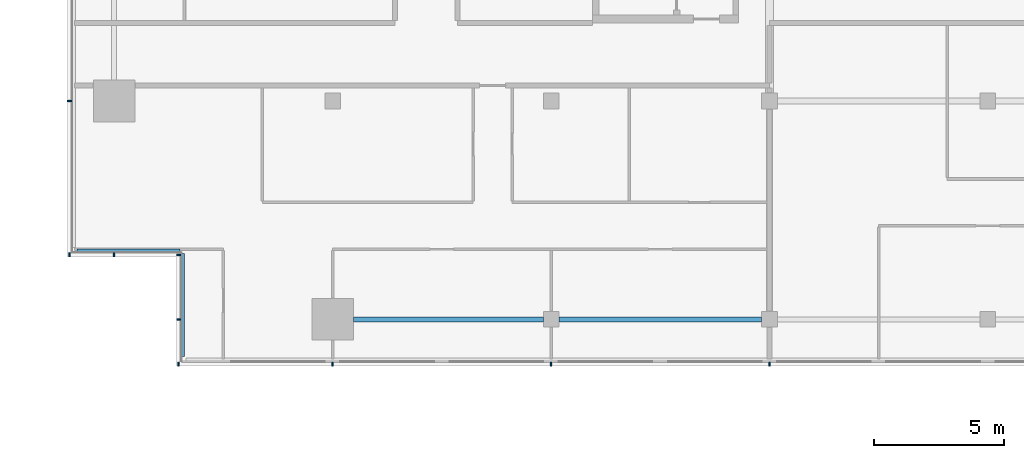
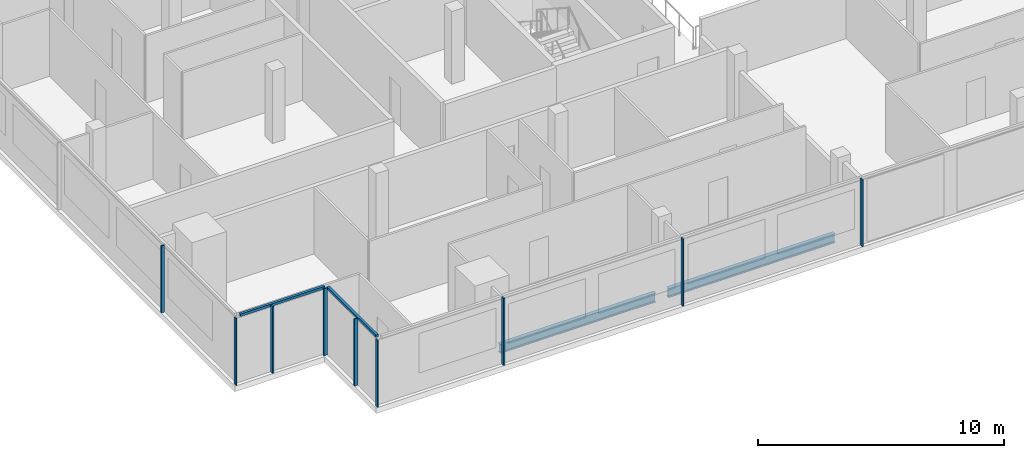
# One storey, part 2 of 30: 11 members, 2 beams, 4 elements without a shape of their own.
"""IFC4 building model written with IfcOpenShell, lengths in metres."""

from ifc_helpers import new_model, si_unit, direction, frame, origin, origin_2d, place, context, subcontext, project, spatial, rectangle, i_section, extrude, material, material_profile, profile_set, type_object, element, aggregate, save


model = new_model("IFC4")

# Units and contexts
model_context = context("Model", 3, precision=1e-05, world=origin(), true_north=direction((0.0, 1.0)))
body_context = subcontext(model_context, "Body", "Model", "MODEL_VIEW")
ifc_project = project(units=[si_unit("LENGTHUNIT", "METRE"), si_unit("AREAUNIT", "SQUARE_METRE"), si_unit("VOLUMEUNIT", "CUBIC_METRE"), si_unit("PLANEANGLEUNIT", "RADIAN"), si_unit("MASSUNIT", "GRAM", prefix="KILO")], contexts=[model_context])

# Site, building, storey
site_placement = place(None, origin())
site = spatial("IfcSite", under=ifc_project, at=site_placement, CompositionType="ELEMENT")
building_placement = place(site_placement, origin())
building = spatial("IfcBuilding", under=site, at=building_placement, Name="Saffron Gate Tower", CompositionType="ELEMENT")
storey_placement = place(building_placement, frame((0.0, 0.0, 237.89990234375)))
storey = spatial("IfcBuildingStorey", under=building, at=storey_placement, Name="L58", CompositionType="ELEMENT", Elevation=237.89990234375)

# Beams
ifc_material_1 = material(Name="Structural steel S355", Category="steel")
ifc_material_profile_1 = material_profile(ifc_material_1, i_section(OverallWidth=0.18994140625, OverallDepth=0.449951171875, WebThickness=0.009521484375, FlangeThickness=0.0146484375, FilletRadius=0.02099609375, at=origin_2d()))
ifc_profile_set_1 = profile_set([ifc_material_profile_1], Name="Structural steel S355")
beam_type = type_object("IfcBeamType", Name="B7 IPE 450", PredefinedType="SPANDREL", material=ifc_profile_set_1)
beam_1_placement = place(storey_placement, frame((59.0, 31.800048828125, -0.5048828125), z_axis=(1.0, 0.0, 0.0), x_axis=(0.0, 1.0, 0.0)))
element("IfcBeam", 1, at=beam_1_placement, inside=storey, type_object=beam_type, Name="B7 SPANDREL BEAM", PredefinedType="SPANDREL", context=body_context, shape_type="SweptSolid", body=[
    extrude(i_section(OverallWidth=0.18994140625, OverallDepth=0.449951171875, WebThickness=0.009521484375, FlangeThickness=0.0146484375, FilletRadius=0.02099609375, at=origin_2d()), origin(), (0.0, 0.0, 1.0), 7.300048828125),
])
beam_2_placement = place(storey_placement, frame((66.89990234375, 31.800048828125, -0.5048828125), z_axis=(1.0, 0.0, 0.0), x_axis=(0.0, 1.0, 0.0)))
element("IfcBeam", 2, at=beam_2_placement, inside=storey, type_object=beam_type, Name="B7 SPANDREL BEAM", PredefinedType="SPANDREL", context=body_context, shape_type="SweptSolid", body=[
    extrude(i_section(OverallWidth=0.18994140625, OverallDepth=0.449951171875, WebThickness=0.009521484375, FlangeThickness=0.0146484375, FilletRadius=0.02099609375, at=origin_2d()), origin(), (0.0, 0.0, 1.0), 7.800048828125),
])

# Curtain wall, members
ifc_material_2 = material(Name="Aluminium, bronze anodised", Category="aluminium")
curtain_wall_type_1 = type_object("IfcCurtainWallType", Name="CWS1 curtain wall front facade", PredefinedType="NOTDEFINED", material=ifc_material_2)
curtain_wall_1_placement = place(storey_placement, origin())
curtain_wall_1 = element("IfcCurtainWall", 3, at=curtain_wall_1_placement, inside=storey, type_object=curtain_wall_type_1, Name="CWS1 run 1", PredefinedType="NOTDEFINED")
ifc_material_profile_2 = material_profile(ifc_material_2, rectangle(XDim=0.159912109375, YDim=0.06005859375, at=origin_2d()))
ifc_profile_set_2 = profile_set([ifc_material_profile_2], Name="Aluminium, bronze anodised")
member_type_1 = type_object("IfcMemberType", Name="CWS1 mullion 60x160", PredefinedType="MULLION", material=ifc_profile_set_2)
member_1_placement = place(storey_placement, frame((52.280029296875, 30.080078125, 0.0), z_axis=(0.0, 0.0, 1.0), x_axis=(0.0, 1.0, 0.0)))
member_1 = element("IfcMember", 4, at=member_1_placement, type_object=member_type_1, Name="CWS1 mullion 1", PredefinedType="MULLION", context=body_context, shape_type="SweptSolid", body=[
    extrude(rectangle(XDim=0.159912109375, YDim=0.06005859375, at=origin_2d()), origin(), (0.0, 0.0, 1.0), 3.320068359375),
])
member_2_placement = place(storey_placement, frame((58.199951171875, 30.080078125, 0.0), z_axis=(0.0, 0.0, 1.0), x_axis=(0.0, 1.0, 0.0)))
member_2 = element("IfcMember", 5, at=member_2_placement, type_object=member_type_1, Name="CWS1 mullion 2", PredefinedType="MULLION", context=body_context, shape_type="SweptSolid", body=[
    extrude(rectangle(XDim=0.159912109375, YDim=0.06005859375, at=origin_2d()), origin(), (0.0, 0.0, 1.0), 3.320068359375),
])
member_3_placement = place(storey_placement, frame((66.60009765625, 30.080078125, 0.0), z_axis=(0.0, 0.0, 1.0), x_axis=(0.0, 1.0, 0.0)))
member_3 = element("IfcMember", 6, at=member_3_placement, type_object=member_type_1, Name="CWS1 mullion 3", PredefinedType="MULLION", context=body_context, shape_type="SweptSolid", body=[
    extrude(rectangle(XDim=0.159912109375, YDim=0.06005859375, at=origin_2d()), origin(), (0.0, 0.0, 1.0), 3.320068359375),
])
member_4_placement = place(storey_placement, frame((75.0, 30.080078125, 0.0), z_axis=(0.0, 0.0, 1.0), x_axis=(0.0, 1.0, 0.0)))
member_4 = element("IfcMember", 7, at=member_4_placement, type_object=member_type_1, Name="CWS1 mullion 4", PredefinedType="MULLION", context=body_context, shape_type="SweptSolid", body=[
    extrude(rectangle(XDim=0.159912109375, YDim=0.06005859375, at=origin_2d()), origin(), (0.0, 0.0, 1.0), 3.320068359375),
])
aggregate(curtain_wall_1, [member_1, member_2, member_3, member_4])

# Curtain wall, member
curtain_wall_type_2 = type_object("IfcCurtainWallType", Name="CWS2 curtain wall side facades", PredefinedType="NOTDEFINED", material=ifc_material_2)
curtain_wall_2_placement = place(storey_placement, origin())
curtain_wall_2 = element("IfcCurtainWall", 8, at=curtain_wall_2_placement, inside=storey, type_object=curtain_wall_type_2, Name="CWS2 run 10", PredefinedType="NOTDEFINED")
ifc_material_profile_3 = material_profile(ifc_material_2, rectangle(XDim=0.159912109375, YDim=0.06005859375, at=origin_2d()))
ifc_profile_set_3 = profile_set([ifc_material_profile_3], Name="Aluminium, bronze anodised")
member_type_2 = type_object("IfcMemberType", Name="CWS2 mullion 60x160", PredefinedType="MULLION", material=ifc_profile_set_3)
member_5_placement = place(storey_placement, frame((48.080078125, 40.199951171875, 0.0), z_axis=(0.0, 0.0, 1.0), x_axis=(1.0, 0.0, 0.0)))
member_5 = element("IfcMember", 9, at=member_5_placement, type_object=member_type_2, Name="CWS2 mullion 5", PredefinedType="MULLION", context=body_context, shape_type="SweptSolid", body=[
    extrude(rectangle(XDim=0.159912109375, YDim=0.06005859375, at=origin_2d()), origin(), (0.0, 0.0, 1.0), 3.320068359375),
])
aggregate(curtain_wall_2, [member_5])

curtain_wall_type_3 = type_object("IfcCurtainWallType", Name="CWS4 curtain wall corner returns", PredefinedType="NOTDEFINED", material=ifc_material_2)
curtain_wall_3_placement = place(storey_placement, origin())
curtain_wall_3 = element("IfcCurtainWall", 10, at=curtain_wall_3_placement, inside=storey, type_object=curtain_wall_type_3, Name="CWS4 run 11", PredefinedType="NOTDEFINED")
ifc_material_profile_4 = material_profile(ifc_material_2, rectangle(XDim=0.1201171875, YDim=0.1201171875, at=origin_2d()))
ifc_profile_set_4 = profile_set([ifc_material_profile_4], Name="Aluminium, bronze anodised")
member_type_3 = type_object("IfcMemberType", Name="CWS4 head transom", PredefinedType="USERDEFINED", material=ifc_profile_set_4)
member_6_placement = place(storey_placement, frame((48.367919921875, 34.447998046875, 3.260009765625), z_axis=(1.0, 0.0, 0.0), x_axis=(0.0, 1.0, 0.0)))
member_6 = element("IfcMember", 11, at=member_6_placement, type_object=member_type_3, Name="CWS4 head transom", ObjectType="TRANSOM", PredefinedType="USERDEFINED", context=body_context, shape_type="SweptSolid", body=[
    extrude(rectangle(XDim=0.1201171875, YDim=0.1201171875, at=origin_2d()), origin(), (0.0, 0.0, 1.0), 3.9599609375),
])

curtain_wall_4_placement = place(storey_placement, origin())
curtain_wall_4 = element("IfcCurtainWall", 12, at=curtain_wall_4_placement, inside=storey, type_object=curtain_wall_type_3, Name="CWS4 run 12", PredefinedType="NOTDEFINED")
member_7_placement = place(storey_placement, frame((52.447998046875, 34.327880859375, 3.260009765625), z_axis=(0.0, -1.0, 0.0), x_axis=(1.0, 0.0, 0.0)))
member_7 = element("IfcMember", 13, at=member_7_placement, type_object=member_type_3, Name="CWS4 head transom", ObjectType="TRANSOM", PredefinedType="USERDEFINED", context=body_context, shape_type="SweptSolid", body=[
    extrude(rectangle(XDim=0.1201171875, YDim=0.1201171875, at=origin_2d()), origin(), (0.0, 0.0, 1.0), 3.9599609375),
])

# Member
ifc_material_profile_5 = material_profile(ifc_material_2, rectangle(XDim=0.159912109375, YDim=0.06005859375, at=origin_2d()))
ifc_profile_set_5 = profile_set([ifc_material_profile_5], Name="Aluminium, bronze anodised")
member_type_4 = type_object("IfcMemberType", Name="CWS4 mullion 60x160", PredefinedType="MULLION", material=ifc_profile_set_5)
member_8_placement = place(storey_placement, frame((48.080078125, 34.280029296875, 0.0), z_axis=(0.0, 0.0, 1.0), x_axis=(0.0, 1.0, 0.0)))
member_8 = element("IfcMember", 14, at=member_8_placement, type_object=member_type_4, Name="CWS4 mullion 1", PredefinedType="MULLION", context=body_context, shape_type="SweptSolid", body=[
    extrude(rectangle(XDim=0.159912109375, YDim=0.06005859375, at=origin_2d()), origin(), (0.0, 0.0, 1.0), 3.320068359375),
])

member_9_placement = place(storey_placement, frame((49.800048828125, 34.280029296875, 0.0), z_axis=(0.0, 0.0, 1.0), x_axis=(0.0, 1.0, 0.0)))
member_9 = element("IfcMember", 15, at=member_9_placement, type_object=member_type_4, Name="CWS4 mullion 2", PredefinedType="MULLION", context=body_context, shape_type="SweptSolid", body=[
    extrude(rectangle(XDim=0.159912109375, YDim=0.06005859375, at=origin_2d()), origin(), (0.0, 0.0, 1.0), 3.320068359375),
])

aggregate(curtain_wall_3, [member_8, member_9, member_6])

member_10_placement = place(storey_placement, frame((52.280029296875, 34.280029296875, 0.0), z_axis=(0.0, 0.0, 1.0), x_axis=(1.0, 0.0, 0.0)))
member_10 = element("IfcMember", 16, at=member_10_placement, type_object=member_type_4, Name="CWS4 mullion 1", PredefinedType="MULLION", context=body_context, shape_type="SweptSolid", body=[
    extrude(rectangle(XDim=0.159912109375, YDim=0.06005859375, at=origin_2d()), origin(), (0.0, 0.0, 1.0), 3.320068359375),
])

member_11_placement = place(storey_placement, frame((52.280029296875, 31.800048828125, 0.0), z_axis=(0.0, 0.0, 1.0), x_axis=(1.0, 0.0, 0.0)))
member_11 = element("IfcMember", 17, at=member_11_placement, type_object=member_type_4, Name="CWS4 mullion 2", PredefinedType="MULLION", context=body_context, shape_type="SweptSolid", body=[
    extrude(rectangle(XDim=0.159912109375, YDim=0.06005859375, at=origin_2d()), origin(), (0.0, 0.0, 1.0), 3.320068359375),
])

aggregate(curtain_wall_4, [member_10, member_11, member_7])

save(model, "model.ifc")
